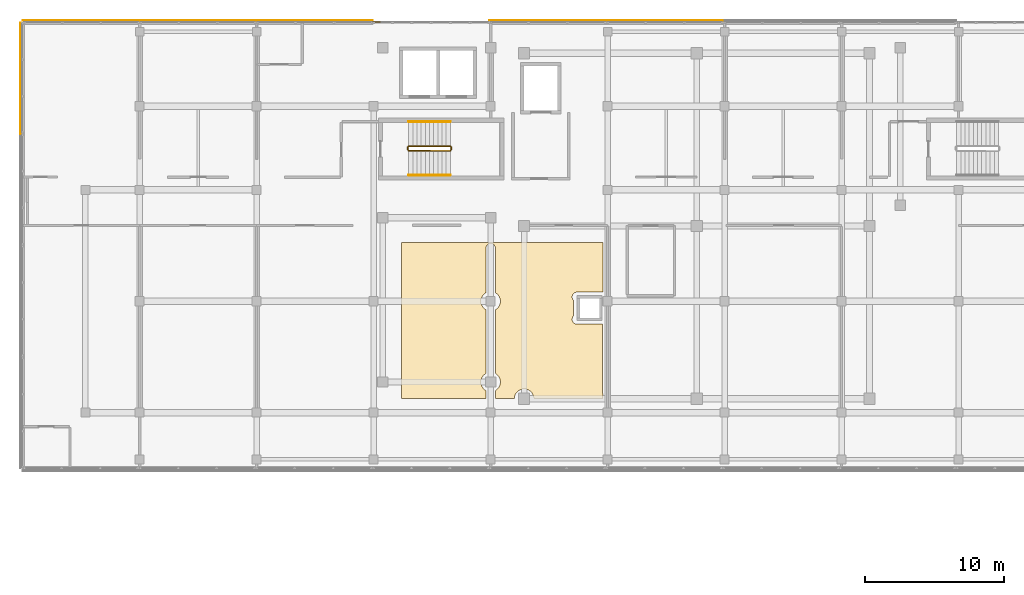
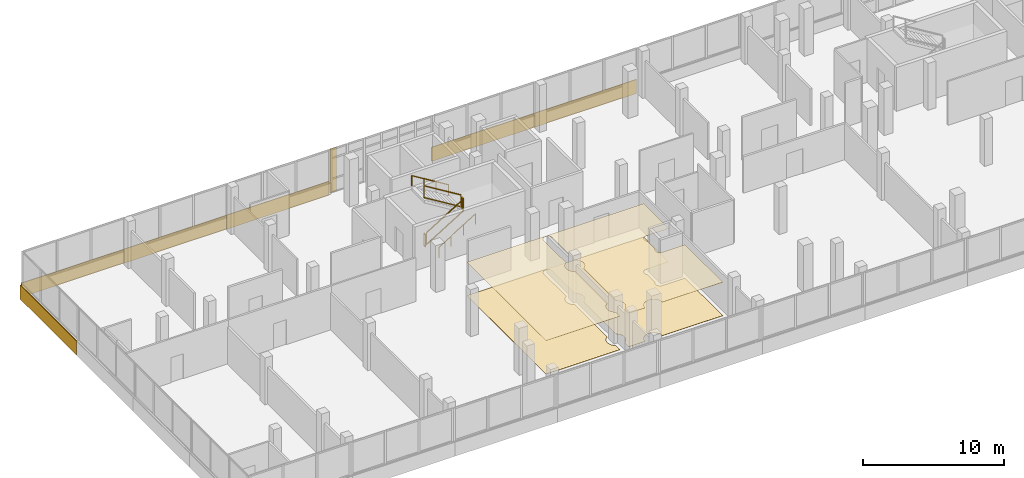
# One storey, part 73 of 76: 9 coverings, 6 railings.
"""IFC4 building model written with IfcOpenShell, lengths in metres."""

from ifc_helpers import new_model, si_unit, direction, frame, origin, origin_2d, place, context, subcontext, project, spatial, polyline, rectangle, circle, outline, extrude, material, layer, layer_set, type_object, element, save


model = new_model("IFC4")

# Units and contexts
model_context = context("Model", 3, precision=1e-05, world=origin(), true_north=direction((0.0, 1.0)))
body_context = subcontext(model_context, "Body", "Model", "MODEL_VIEW")
ifc_project = project(units=[si_unit("LENGTHUNIT", "METRE"), si_unit("AREAUNIT", "SQUARE_METRE"), si_unit("VOLUMEUNIT", "CUBIC_METRE"), si_unit("PLANEANGLEUNIT", "RADIAN"), si_unit("MASSUNIT", "GRAM", prefix="KILO")], contexts=[model_context])

# Site, building, storey
site_placement = place(None, origin())
site = spatial("IfcSite", under=ifc_project, at=site_placement, CompositionType="ELEMENT")
building_placement = place(site_placement, origin())
building = spatial("IfcBuilding", under=site, at=building_placement, Name="Selatvlak General Hospital", CompositionType="ELEMENT")
storey_placement = place(building_placement, frame((0.0, 0.0, 27.300048828125)))
storey = spatial("IfcBuildingStorey", under=building, at=storey_placement, Name="L06", CompositionType="ELEMENT", Elevation=27.300048828125)

# Coverings
ifc_material_1 = material(Name="Acoustic mineral fibre ceiling tile")
ifc_layer_1 = layer(ifc_material_1, 0.02490234375, Name="Acoustic mineral fibre ceiling tile")
ifc_layer_set_1 = layer_set([ifc_layer_1], Name="Acoustic mineral fibre ceiling tile")
covering_type_1 = type_object("IfcCoveringType", Name="COV-CEIL1", PredefinedType="CEILING", material=ifc_layer_set_1)
covering_1_placement = place(storey_placement, frame((0.0, 0.0, 2.8798828125)))
element("IfcCovering", 1, at=covering_1_placement, inside=storey, type_object=covering_type_1, Name="L06 clinical acoustic ceiling 013", PredefinedType="CEILING", context=body_context, shape_type="SweptSolid", body=[
    extrude(outline(polyline([(50.0, 104.199951171875), (64.449951171875, 104.199951171875), (64.449951171875, 100.64599609375), (64.39990234375, 100.64990234375), (62.60009765625, 100.64990234375), (62.56591796875, 100.64794921875), (62.531982421875, 100.64306640625), (62.498046875, 100.635009765625), (62.466064453125, 100.623046875), (62.43505859375, 100.60888671875), (62.406005859375, 100.591064453125), (62.3779296875, 100.571044921875), (62.35302734375, 100.547119140625), (62.3291015625, 100.52197265625), (62.30908203125, 100.493896484375), (62.291015625, 100.465087890625), (62.277099609375, 100.43408203125), (62.264892578125, 100.402099609375), (62.257080078125, 100.367919921875), (62.251953125, 100.333984375), (62.25, 100.300048828125), (62.251953125, 100.26611328125), (62.257080078125, 100.23193359375), (62.264892578125, 100.197998046875), (62.277099609375, 100.166015625), (62.291015625, 100.135009765625), (62.30908203125, 100.10595703125), (62.3291015625, 100.077880859375), (62.35009765625, 100.054931640625), (62.35009765625, 98.945068359375), (62.3291015625, 98.922119140625), (62.30908203125, 98.89404296875), (62.291015625, 98.864990234375), (62.277099609375, 98.833984375), (62.264892578125, 98.802001953125), (62.257080078125, 98.76806640625), (62.251953125, 98.73388671875), (62.25, 98.699951171875), (62.251953125, 98.666015625), (62.257080078125, 98.632080078125), (62.264892578125, 98.597900390625), (62.277099609375, 98.56591796875), (62.291015625, 98.534912109375), (62.30908203125, 98.506103515625), (62.3291015625, 98.47802734375), (62.35302734375, 98.452880859375), (62.3779296875, 98.428955078125), (62.406005859375, 98.408935546875), (62.43505859375, 98.39111328125), (62.466064453125, 98.376953125), (62.498046875, 98.364990234375), (62.531982421875, 98.35693359375), (62.56591796875, 98.35205078125), (62.60009765625, 98.35009765625), (64.39990234375, 98.35009765625), (64.43408203125, 98.35205078125), (64.449951171875, 93.0), (59.5, 93.0), (59.4970703125, 93.069091796875), (59.487060546875, 93.136962890625), (59.469970703125, 93.202880859375), (59.447021484375, 93.26806640625), (59.4169921875, 93.330078125), (59.382080078125, 93.388916015625), (59.341064453125, 93.444091796875), (59.294921875, 93.4951171875), (59.243896484375, 93.541015625), (59.18896484375, 93.58203125), (59.1298828125, 93.616943359375), (59.068115234375, 93.64697265625), (59.0029296875, 93.669921875), (58.93701171875, 93.68701171875), (58.868896484375, 93.697021484375), (58.800048828125, 93.699951171875), (58.73095703125, 93.697021484375), (58.6630859375, 93.68701171875), (58.596923828125, 93.669921875), (58.531982421875, 93.64697265625), (58.469970703125, 93.616943359375), (58.410888671875, 93.58203125), (58.35595703125, 93.541015625), (58.304931640625, 93.4951171875), (58.259033203125, 93.444091796875), (58.218017578125, 93.388916015625), (58.18310546875, 93.330078125), (58.153076171875, 93.26806640625), (58.1298828125, 93.202880859375), (58.113037109375, 93.136962890625), (58.10302734375, 93.069091796875), (58.10009765625, 93.0), (56.75, 93.0), (56.75, 93.594970703125), (56.7890625, 93.617919921875), (56.843994140625, 93.658935546875), (56.89501953125, 93.705078125), (56.94091796875, 93.756103515625), (56.98193359375, 93.81103515625), (57.01708984375, 93.8701171875), (57.047119140625, 93.931884765625), (57.070068359375, 93.9970703125), (57.0869140625, 94.06298828125), (57.096923828125, 94.131103515625), (57.10009765625, 94.199951171875), (57.096923828125, 94.26904296875), (57.0869140625, 94.3369140625), (57.070068359375, 94.403076171875), (57.047119140625, 94.468017578125), (57.01708984375, 94.530029296875), (56.98193359375, 94.589111328125), (56.94091796875, 94.64404296875), (56.89501953125, 94.695068359375), (56.843994140625, 94.740966796875), (56.7890625, 94.781982421875), (56.75, 94.804931640625), (56.75, 99.39501953125), (56.7890625, 99.41796875), (56.843994140625, 99.458984375), (56.89501953125, 99.5048828125), (56.94091796875, 99.555908203125), (56.98193359375, 99.611083984375), (57.01708984375, 99.669921875), (57.047119140625, 99.73193359375), (57.070068359375, 99.797119140625), (57.0869140625, 99.863037109375), (57.096923828125, 99.930908203125), (57.10009765625, 100.0), (57.096923828125, 100.069091796875), (57.0869140625, 100.136962890625), (57.070068359375, 100.202880859375), (57.047119140625, 100.26806640625), (57.01708984375, 100.330078125), (56.98193359375, 100.388916015625), (56.94091796875, 100.444091796875), (56.89501953125, 100.4951171875), (56.843994140625, 100.541015625), (56.7890625, 100.58203125), (56.75, 100.60498046875), (56.75, 103.7900390625), (56.748046875, 103.823974609375), (56.742919921875, 103.85791015625), (56.735107421875, 103.89208984375), (56.722900390625, 103.924072265625), (56.708984375, 103.955078125), (56.69091796875, 103.98388671875), (56.6708984375, 104.011962890625), (56.64697265625, 104.037109375), (56.6220703125, 104.06103515625), (56.593994140625, 104.0810546875), (56.56494140625, 104.09912109375), (56.533935546875, 104.113037109375), (56.501953125, 104.125), (56.468017578125, 104.133056640625), (56.43408203125, 104.137939453125), (56.39990234375, 104.139892578125), (56.365966796875, 104.137939453125), (56.33203125, 104.133056640625), (56.298095703125, 104.125), (56.26611328125, 104.113037109375), (56.235107421875, 104.09912109375), (56.2060546875, 104.0810546875), (56.177978515625, 104.06103515625), (56.153076171875, 104.037109375), (56.12890625, 104.011962890625), (56.10888671875, 103.98388671875), (56.091064453125, 103.955078125), (56.076904296875, 103.924072265625), (56.06494140625, 103.89208984375), (56.056884765625, 103.85791015625), (56.052001953125, 103.823974609375), (56.050048828125, 103.7900390625), (56.050048828125, 100.60498046875), (56.010986328125, 100.58203125), (55.9560546875, 100.541015625), (55.905029296875, 100.4951171875), (55.85888671875, 100.444091796875), (55.818115234375, 100.388916015625), (55.782958984375, 100.330078125), (55.7529296875, 100.26806640625), (55.72998046875, 100.202880859375), (55.712890625, 100.136962890625), (55.702880859375, 100.069091796875), (55.699951171875, 100.0), (55.702880859375, 99.930908203125), (55.712890625, 99.863037109375), (55.72998046875, 99.797119140625), (55.7529296875, 99.73193359375), (55.782958984375, 99.669921875), (55.818115234375, 99.611083984375), (55.85888671875, 99.555908203125), (55.905029296875, 99.5048828125), (55.9560546875, 99.458984375), (56.010986328125, 99.41796875), (56.050048828125, 99.39501953125), (56.050048828125, 94.804931640625), (56.010986328125, 94.781982421875), (55.9560546875, 94.740966796875), (55.905029296875, 94.695068359375), (55.85888671875, 94.64404296875), (55.818115234375, 94.589111328125), (55.782958984375, 94.530029296875), (55.7529296875, 94.468017578125), (55.72998046875, 94.403076171875), (55.712890625, 94.3369140625), (55.702880859375, 94.26904296875), (55.699951171875, 94.199951171875), (55.702880859375, 94.131103515625), (55.712890625, 94.06298828125), (55.72998046875, 93.9970703125), (55.7529296875, 93.931884765625), (55.782958984375, 93.8701171875), (55.818115234375, 93.81103515625), (55.85888671875, 93.756103515625), (55.905029296875, 93.705078125), (55.9560546875, 93.658935546875), (56.010986328125, 93.617919921875), (56.050048828125, 93.594970703125), (56.050048828125, 93.0), (50.0, 93.0), (50.0, 104.199951171875)])), origin(), (0.0, 0.0, 1.0), 0.025146484375),
])
ifc_material_2 = material(Name="Homogeneous anti-static hospital vinyl flooring")
ifc_layer_2 = layer(ifc_material_2, 0.014892578125, Name="Homogeneous anti-static hospital vinyl flooring")
ifc_layer_set_2 = layer_set([ifc_layer_2], Name="Homogeneous anti-static hospital vinyl flooring")
covering_type_2 = type_object("IfcCoveringType", Name="COV-FLR1", PredefinedType="FLOORING", material=ifc_layer_set_2)
covering_2_placement = place(storey_placement, origin())
element("IfcCovering", 2, at=covering_2_placement, inside=storey, type_object=covering_type_2, Name="L06 seamless vinyl flooring 013", PredefinedType="FLOORING", context=body_context, shape_type="SweptSolid", body=[
    extrude(outline(polyline([(50.0, 104.199951171875), (64.449951171875, 104.199951171875), (64.449951171875, 100.64599609375), (64.39990234375, 100.64990234375), (62.60009765625, 100.64990234375), (62.56591796875, 100.64794921875), (62.531982421875, 100.64306640625), (62.498046875, 100.635009765625), (62.466064453125, 100.623046875), (62.43505859375, 100.60888671875), (62.406005859375, 100.591064453125), (62.3779296875, 100.571044921875), (62.35302734375, 100.547119140625), (62.3291015625, 100.52197265625), (62.30908203125, 100.493896484375), (62.291015625, 100.465087890625), (62.277099609375, 100.43408203125), (62.264892578125, 100.402099609375), (62.257080078125, 100.367919921875), (62.251953125, 100.333984375), (62.25, 100.300048828125), (62.251953125, 100.26611328125), (62.257080078125, 100.23193359375), (62.264892578125, 100.197998046875), (62.277099609375, 100.166015625), (62.291015625, 100.135009765625), (62.30908203125, 100.10595703125), (62.3291015625, 100.077880859375), (62.35009765625, 100.054931640625), (62.35009765625, 98.945068359375), (62.3291015625, 98.922119140625), (62.30908203125, 98.89404296875), (62.291015625, 98.864990234375), (62.277099609375, 98.833984375), (62.264892578125, 98.802001953125), (62.257080078125, 98.76806640625), (62.251953125, 98.73388671875), (62.25, 98.699951171875), (62.251953125, 98.666015625), (62.257080078125, 98.632080078125), (62.264892578125, 98.597900390625), (62.277099609375, 98.56591796875), (62.291015625, 98.534912109375), (62.30908203125, 98.506103515625), (62.3291015625, 98.47802734375), (62.35302734375, 98.452880859375), (62.3779296875, 98.428955078125), (62.406005859375, 98.408935546875), (62.43505859375, 98.39111328125), (62.466064453125, 98.376953125), (62.498046875, 98.364990234375), (62.531982421875, 98.35693359375), (62.56591796875, 98.35205078125), (62.60009765625, 98.35009765625), (64.39990234375, 98.35009765625), (64.43408203125, 98.35205078125), (64.449951171875, 93.0), (59.5, 93.0), (59.4970703125, 93.069091796875), (59.487060546875, 93.136962890625), (59.469970703125, 93.202880859375), (59.447021484375, 93.26806640625), (59.4169921875, 93.330078125), (59.382080078125, 93.388916015625), (59.341064453125, 93.444091796875), (59.294921875, 93.4951171875), (59.243896484375, 93.541015625), (59.18896484375, 93.58203125), (59.1298828125, 93.616943359375), (59.068115234375, 93.64697265625), (59.0029296875, 93.669921875), (58.93701171875, 93.68701171875), (58.868896484375, 93.697021484375), (58.800048828125, 93.699951171875), (58.73095703125, 93.697021484375), (58.6630859375, 93.68701171875), (58.596923828125, 93.669921875), (58.531982421875, 93.64697265625), (58.469970703125, 93.616943359375), (58.410888671875, 93.58203125), (58.35595703125, 93.541015625), (58.304931640625, 93.4951171875), (58.259033203125, 93.444091796875), (58.218017578125, 93.388916015625), (58.18310546875, 93.330078125), (58.153076171875, 93.26806640625), (58.1298828125, 93.202880859375), (58.113037109375, 93.136962890625), (58.10302734375, 93.069091796875), (58.10009765625, 93.0), (56.75, 93.0), (56.75, 93.594970703125), (56.7890625, 93.617919921875), (56.843994140625, 93.658935546875), (56.89501953125, 93.705078125), (56.94091796875, 93.756103515625), (56.98193359375, 93.81103515625), (57.01708984375, 93.8701171875), (57.047119140625, 93.931884765625), (57.070068359375, 93.9970703125), (57.0869140625, 94.06298828125), (57.096923828125, 94.131103515625), (57.10009765625, 94.199951171875), (57.096923828125, 94.26904296875), (57.0869140625, 94.3369140625), (57.070068359375, 94.403076171875), (57.047119140625, 94.468017578125), (57.01708984375, 94.530029296875), (56.98193359375, 94.589111328125), (56.94091796875, 94.64404296875), (56.89501953125, 94.695068359375), (56.843994140625, 94.740966796875), (56.7890625, 94.781982421875), (56.75, 94.804931640625), (56.75, 99.39501953125), (56.7890625, 99.41796875), (56.843994140625, 99.458984375), (56.89501953125, 99.5048828125), (56.94091796875, 99.555908203125), (56.98193359375, 99.611083984375), (57.01708984375, 99.669921875), (57.047119140625, 99.73193359375), (57.070068359375, 99.797119140625), (57.0869140625, 99.863037109375), (57.096923828125, 99.930908203125), (57.10009765625, 100.0), (57.096923828125, 100.069091796875), (57.0869140625, 100.136962890625), (57.070068359375, 100.202880859375), (57.047119140625, 100.26806640625), (57.01708984375, 100.330078125), (56.98193359375, 100.388916015625), (56.94091796875, 100.444091796875), (56.89501953125, 100.4951171875), (56.843994140625, 100.541015625), (56.7890625, 100.58203125), (56.75, 100.60498046875), (56.75, 103.7900390625), (56.748046875, 103.823974609375), (56.742919921875, 103.85791015625), (56.735107421875, 103.89208984375), (56.722900390625, 103.924072265625), (56.708984375, 103.955078125), (56.69091796875, 103.98388671875), (56.6708984375, 104.011962890625), (56.64697265625, 104.037109375), (56.6220703125, 104.06103515625), (56.593994140625, 104.0810546875), (56.56494140625, 104.09912109375), (56.533935546875, 104.113037109375), (56.501953125, 104.125), (56.468017578125, 104.133056640625), (56.43408203125, 104.137939453125), (56.39990234375, 104.139892578125), (56.365966796875, 104.137939453125), (56.33203125, 104.133056640625), (56.298095703125, 104.125), (56.26611328125, 104.113037109375), (56.235107421875, 104.09912109375), (56.2060546875, 104.0810546875), (56.177978515625, 104.06103515625), (56.153076171875, 104.037109375), (56.12890625, 104.011962890625), (56.10888671875, 103.98388671875), (56.091064453125, 103.955078125), (56.076904296875, 103.924072265625), (56.06494140625, 103.89208984375), (56.056884765625, 103.85791015625), (56.052001953125, 103.823974609375), (56.050048828125, 103.7900390625), (56.050048828125, 100.60498046875), (56.010986328125, 100.58203125), (55.9560546875, 100.541015625), (55.905029296875, 100.4951171875), (55.85888671875, 100.444091796875), (55.818115234375, 100.388916015625), (55.782958984375, 100.330078125), (55.7529296875, 100.26806640625), (55.72998046875, 100.202880859375), (55.712890625, 100.136962890625), (55.702880859375, 100.069091796875), (55.699951171875, 100.0), (55.702880859375, 99.930908203125), (55.712890625, 99.863037109375), (55.72998046875, 99.797119140625), (55.7529296875, 99.73193359375), (55.782958984375, 99.669921875), (55.818115234375, 99.611083984375), (55.85888671875, 99.555908203125), (55.905029296875, 99.5048828125), (55.9560546875, 99.458984375), (56.010986328125, 99.41796875), (56.050048828125, 99.39501953125), (56.050048828125, 94.804931640625), (56.010986328125, 94.781982421875), (55.9560546875, 94.740966796875), (55.905029296875, 94.695068359375), (55.85888671875, 94.64404296875), (55.818115234375, 94.589111328125), (55.782958984375, 94.530029296875), (55.7529296875, 94.468017578125), (55.72998046875, 94.403076171875), (55.712890625, 94.3369140625), (55.702880859375, 94.26904296875), (55.699951171875, 94.199951171875), (55.702880859375, 94.131103515625), (55.712890625, 94.06298828125), (55.72998046875, 93.9970703125), (55.7529296875, 93.931884765625), (55.782958984375, 93.8701171875), (55.818115234375, 93.81103515625), (55.85888671875, 93.756103515625), (55.905029296875, 93.705078125), (55.9560546875, 93.658935546875), (56.010986328125, 93.617919921875), (56.050048828125, 93.594970703125), (56.050048828125, 93.0), (50.0, 93.0), (50.0, 104.199951171875)])), origin(), (0.0, 0.0, 1.0), 0.014892578125),
])
ifc_material_3 = material(Name="White Bauhaus fair-faced cladding panel")
ifc_layer_3 = layer(ifc_material_3, 0.054931640625, Name="White Bauhaus fair-faced cladding panel")
ifc_layer_set_3 = layer_set([ifc_layer_3], Name="White Bauhaus fair-faced cladding panel")
covering_type_3 = type_object("IfcCoveringType", Name="COV-WHT1", PredefinedType="CLADDING", material=ifc_layer_set_3)
covering_3_placement = place(storey_placement, frame((22.635009765625, 115.9990234375, -0.2802734375), z_axis=(0.0, 0.0, 1.0), x_axis=(0.0, 1.0, 0.0)))
element("IfcCovering", 3, at=covering_3_placement, inside=storey, type_object=covering_type_3, Name="L06 Bauhaus horizontal white spandrel band 0451", PredefinedType="CLADDING", context=body_context, shape_type="SweptSolid", body=[
    extrude(rectangle(XDim=8.0, YDim=0.054931640625, at=origin_2d()), origin(), (0.0, 0.0, 1.0), 1.219970703125),
])
for number, where, z_axis, x_axis, name in (
    (4, (26.989013671875, 120.1640625, -0.2802734375), (0.0, 0.0, 1.0), (1.0, 0.0, 0.0), "L06 Bauhaus horizontal white spandrel band 0452"),
    (5, (35.367919921875, 120.1640625, -0.2802734375), (0.0, 0.0, 1.0), (1.0, 0.0, 0.0), "L06 Bauhaus horizontal white spandrel band 0453"),
    (6, (43.748046875, 120.1640625, -0.2802734375), (0.0, 0.0, 1.0), (1.0, 0.0, 0.0), "L06 Bauhaus horizontal white spandrel band 0454"),
):
    element("IfcCovering", number, at=place(storey_placement, frame(where, z_axis=z_axis, x_axis=x_axis)), inside=storey, type_object=covering_type_3, Name=name, PredefinedType="CLADDING", context=body_context, shape_type="SweptSolid", body=[
        extrude(rectangle(XDim=8.37890625, YDim=0.054931640625, at=origin_2d()), origin(), (0.0, 0.0, 1.0), 1.219970703125),
    ])
covering_4_placement = place(storey_placement, frame((48.2119140625, 120.0439453125, 0.0), z_axis=(0.0, 0.0, 1.0), x_axis=(1.0, 0.0, 0.0)))
element("IfcCovering", 7, at=covering_4_placement, inside=storey, type_object=covering_type_3, Name="L06 Bauhaus vertical core pilaster 0455", PredefinedType="CLADDING", context=body_context, shape_type="SweptSolid", body=[
    extrude(rectangle(XDim=0.550048828125, YDim=0.054931640625, at=origin_2d()), origin(), (0.0, 0.0, 1.0), 3.780029296875),
])
covering_5_placement = place(storey_placement, frame((60.5048828125, 120.1640625, -0.2802734375), z_axis=(0.0, 0.0, 1.0), x_axis=(1.0, 0.0, 0.0)))
element("IfcCovering", 8, at=covering_5_placement, inside=storey, type_object=covering_type_3, Name="L06 Bauhaus horizontal white spandrel band 0456", PredefinedType="CLADDING", context=body_context, shape_type="SweptSolid", body=[
    extrude(rectangle(XDim=8.3779296875, YDim=0.054931640625, at=origin_2d()), origin(), (0.0, 0.0, 1.0), 1.219970703125),
])
covering_6_placement = place(storey_placement, frame((68.883056640625, 120.1640625, -0.2802734375), z_axis=(0.0, 0.0, 1.0), x_axis=(1.0, 0.0, 0.0)))
element("IfcCovering", 9, at=covering_6_placement, inside=storey, type_object=covering_type_3, Name="L06 Bauhaus horizontal white spandrel band 0457", PredefinedType="CLADDING", context=body_context, shape_type="SweptSolid", body=[
    extrude(rectangle(XDim=8.37890625, YDim=0.054931640625, at=origin_2d()), origin(), (0.0, 0.0, 1.0), 1.219970703125),
])

# Railings
ifc_material_4 = material(Name="Stainless steel 316 stair guard", Category="steel")
railing_type_1 = type_object("IfcRailingType", Name="RAIL-STG", PredefinedType="GUARDRAIL", material=ifc_material_4)
railing_1_placement = place(storey_placement, frame((50.510009765625, 110.81005859375, 0.18408203125)))
element("IfcRailing", 10, at=railing_1_placement, inside=storey, type_object=railing_type_1, Name="L06 ST-01 stair guard 1", PredefinedType="GUARDRAIL", context=body_context, shape_type="SweptSolid", body=[
    extrude(rectangle(XDim=0.068115234375, YDim=0.068115234375, at=origin_2d()), frame((0.00244140625, 0.0, 1.067626953125), z_axis=(0.852333972304, 0.0, 0.522997896417), x_axis=(0.0, 1.0, 0.0)), (0.0, 0.0, 1.0), 3.513916015625),
    extrude(rectangle(XDim=0.068115234375, YDim=0.068115234375, at=origin_2d()), frame((0.00244140625, 0.0, 0.050537109375), z_axis=(0.852333972304, 0.0, 0.522997896417), x_axis=(0.0, 1.0, 0.0)), (0.0, 0.0, 1.0), 3.513916015625),
    extrude(rectangle(XDim=0.055908203125, YDim=0.055908203125, at=origin_2d()), origin(), (0.0, 0.0, 1.0), 1.029052734375),
    extrude(rectangle(XDim=0.055908203125, YDim=0.055908203125, at=origin_2d()), frame((3.0, 0.0, 1.8408203125)), (0.0, 0.0, 1.0), 1.029052734375),
])
railing_2_placement = place(storey_placement, frame((53.56005859375, 110.860107421875, 2.02490234375)))
element("IfcRailing", 11, at=railing_2_placement, inside=storey, type_object=railing_type_1, Name="L06 ST-01 stair guard 2", PredefinedType="GUARDRAIL", context=body_context, shape_type="SweptSolid", body=[
    extrude(rectangle(XDim=0.068115234375, YDim=0.068115234375, at=origin_2d()), frame((0.0, 0.0029296875, 1.06591796875), z_axis=(0.0, 1.0, 0.0), x_axis=(-1.0, 0.0, 0.0)), (0.0, 0.0, 1.0), 0.214111328125),
    extrude(rectangle(XDim=0.068115234375, YDim=0.068115234375, at=origin_2d()), frame((0.0, 0.0029296875, 0.049072265625), z_axis=(0.0, 1.0, 0.0), x_axis=(-1.0, 0.0, 0.0)), (0.0, 0.0, 1.0), 0.214111328125),
    extrude(rectangle(XDim=0.055908203125, YDim=0.055908203125, at=origin_2d()), origin(), (0.0, 0.0, 1.0), 1.029052734375),
    extrude(rectangle(XDim=0.055908203125, YDim=0.055908203125, at=origin_2d()), frame((0.0, 0.219970703125, 0.0)), (0.0, 0.0, 1.0), 1.029052734375),
])
railing_3_placement = place(storey_placement, frame((53.510009765625, 111.1298828125, 2.208984375)))
element("IfcRailing", 12, at=railing_3_placement, inside=storey, type_object=railing_type_1, Name="L06 ST-01 stair guard 3", PredefinedType="GUARDRAIL", context=body_context, shape_type="SweptSolid", body=[
    extrude(rectangle(XDim=0.068115234375, YDim=0.068115234375, at=origin_2d()), frame((-0.00244140625, 0.0, 1.067626953125), z_axis=(-0.852303052018, 0.0, 0.52304828412), x_axis=(0.0, -1.0, 0.0)), (0.0, 0.0, 1.0), 3.513916015625),
    extrude(rectangle(XDim=0.068115234375, YDim=0.068115234375, at=origin_2d()), frame((-0.00244140625, 0.0, 0.050537109375), z_axis=(-0.852303052018, 0.0, 0.52304828412), x_axis=(0.0, -1.0, 0.0)), (0.0, 0.0, 1.0), 3.513916015625),
    extrude(rectangle(XDim=0.055908203125, YDim=0.055908203125, at=origin_2d()), origin(), (0.0, 0.0, 1.0), 1.029052734375),
    extrude(rectangle(XDim=0.055908203125, YDim=0.055908203125, at=origin_2d()), frame((-3.0, 0.0, 1.841064453125)), (0.0, 0.0, 1.0), 1.029052734375),
])
railing_4_placement = place(storey_placement, frame((50.4599609375, 110.860107421875, 0.0)))
element("IfcRailing", 13, at=railing_4_placement, inside=storey, type_object=railing_type_1, Name="L06 ST-01 stair guard 4", PredefinedType="GUARDRAIL", context=body_context, shape_type="SweptSolid", body=[
    extrude(rectangle(XDim=0.068115234375, YDim=0.068115234375, at=origin_2d()), frame((0.0, 0.0029296875, 1.06591796875), z_axis=(0.0, 1.0, 0.0), x_axis=(-1.0, 0.0, 0.0)), (0.0, 0.0, 1.0), 0.214111328125),
    extrude(rectangle(XDim=0.068115234375, YDim=0.068115234375, at=origin_2d()), frame((0.0, 0.0029296875, 0.049072265625), z_axis=(0.0, 1.0, 0.0), x_axis=(-1.0, 0.0, 0.0)), (0.0, 0.0, 1.0), 0.214111328125),
    extrude(rectangle(XDim=0.055908203125, YDim=0.055908203125, at=origin_2d()), origin(), (0.0, 0.0, 1.0), 1.029052734375),
    extrude(rectangle(XDim=0.055908203125, YDim=0.055908203125, at=origin_2d()), frame((0.0, 0.219970703125, 0.0)), (0.0, 0.0, 1.0), 1.029052734375),
])
ifc_material_5 = material(Name="Stainless steel 316 handrail", Category="steel")
railing_type_2 = type_object("IfcRailingType", Name="RAIL-STH", PredefinedType="HANDRAIL", material=ifc_material_5)
railing_5_placement = place(storey_placement, frame((50.510009765625, 109.050048828125, 0.18408203125)))
element("IfcRailing", 14, at=railing_5_placement, inside=storey, type_object=railing_type_2, Name="L06 ST-01 stair handrail 1", PredefinedType="HANDRAIL", context=body_context, shape_type="SweptSolid", body=[
    extrude(circle(Radius=0.02392578125, at=origin_2d()), frame((0.00244140625, 0.0, 0.87744140625), z_axis=(0.852333972304, 0.0, 0.522997896417), x_axis=(0.0, 1.0, 0.0)), (0.0, 0.0, 1.0), 3.513916015625),
    extrude(circle(Radius=0.02099609375, at=origin_2d()), origin(), (0.0, 0.0, 1.0), 0.848876953125),
    extrude(circle(Radius=0.02099609375, at=origin_2d()), frame((1.0, 0.0, 0.613525390625)), (0.0, 0.0, 1.0), 0.848876953125),
    extrude(circle(Radius=0.02099609375, at=origin_2d()), frame((2.0, 0.0, 1.227294921875)), (0.0, 0.0, 1.0), 0.848876953125),
    extrude(circle(Radius=0.02099609375, at=origin_2d()), frame((3.0, 0.0, 1.8408203125)), (0.0, 0.0, 1.0), 0.848876953125),
])
railing_6_placement = place(storey_placement, frame((53.510009765625, 112.889892578125, 2.208984375)))
element("IfcRailing", 15, at=railing_6_placement, inside=storey, type_object=railing_type_2, Name="L06 ST-01 stair handrail 2", PredefinedType="HANDRAIL", context=body_context, shape_type="SweptSolid", body=[
    extrude(circle(Radius=0.02392578125, at=origin_2d()), frame((-0.00244140625, 0.0, 0.87744140625), z_axis=(-0.852303052018, 0.0, 0.52304828412), x_axis=(0.0, -1.0, 0.0)), (0.0, 0.0, 1.0), 3.513916015625),
    extrude(circle(Radius=0.02099609375, at=origin_2d()), origin(), (0.0, 0.0, 1.0), 0.848876953125),
    extrude(circle(Radius=0.02099609375, at=origin_2d()), frame((-1.0, 0.0, 0.61376953125)), (0.0, 0.0, 1.0), 0.848876953125),
    extrude(circle(Radius=0.02099609375, at=origin_2d()), frame((-2.0, 0.0, 1.227294921875)), (0.0, 0.0, 1.0), 0.848876953125),
    extrude(circle(Radius=0.02099609375, at=origin_2d()), frame((-3.0, 0.0, 1.841064453125)), (0.0, 0.0, 1.0), 0.848876953125),
])

save(model, "model.ifc")
